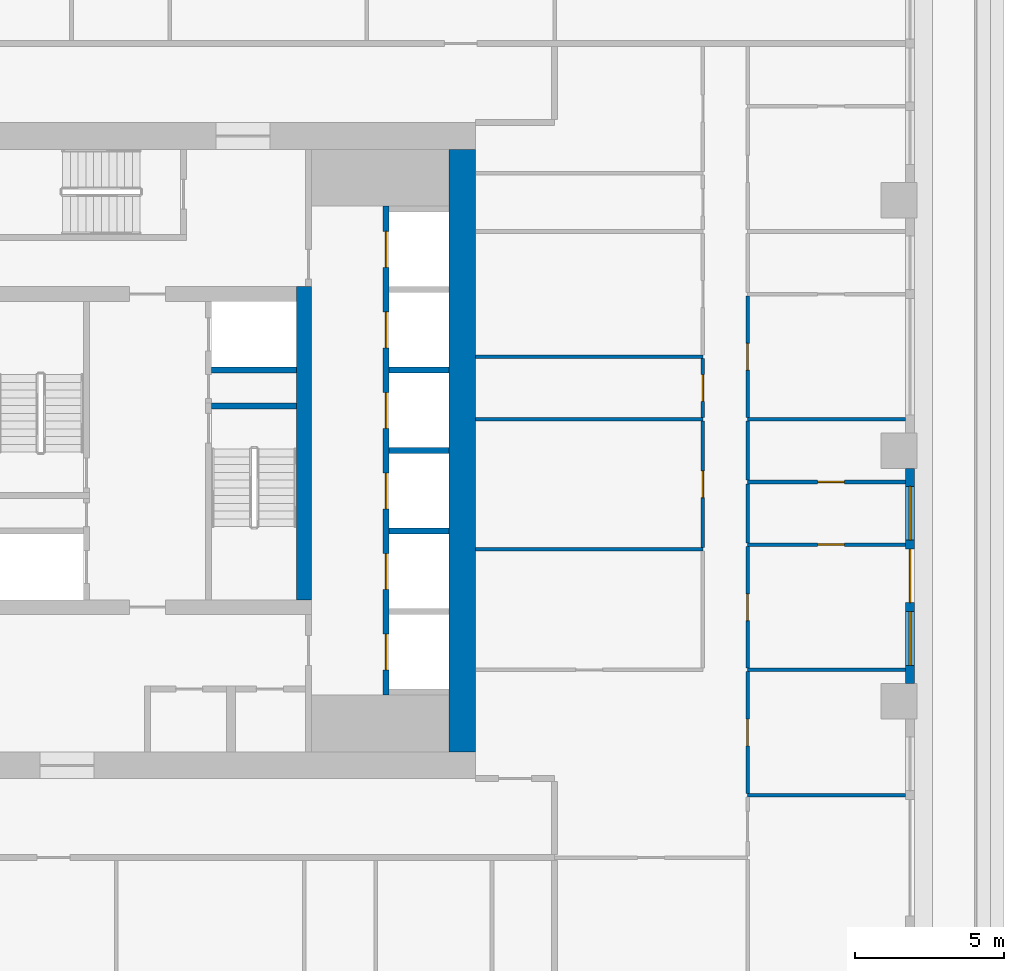
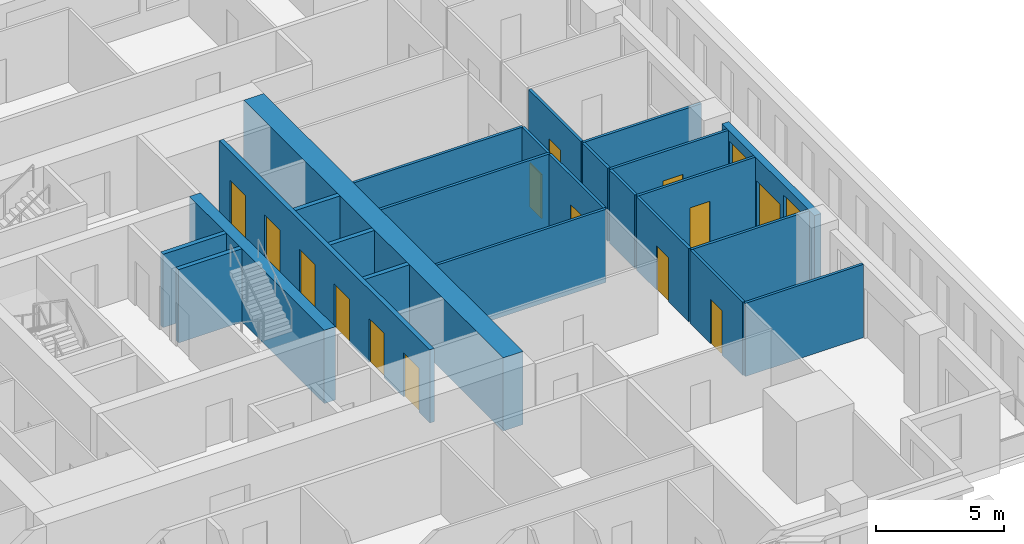
# One storey, part 6 of 16: 24 walls, 14 doors, 2 windows, 16 openings.
"""IFC4 building model written with IfcOpenShell, lengths in metres."""

from ifc_helpers import new_model, si_unit, direction, frame, frame_2d, origin, place, context, subcontext, project, spatial, rectangle, extrude, material, layer, layer_set, type_object, element, fill, save


model = new_model("IFC4")

# Units and contexts
model_context = context("Model", 3, precision=1e-05, world=origin(), true_north=direction((0.0, 1.0)))
body_context = subcontext(model_context, "Body", "Model", "MODEL_VIEW")
ifc_project = project(units=[si_unit("LENGTHUNIT", "METRE"), si_unit("AREAUNIT", "SQUARE_METRE"), si_unit("VOLUMEUNIT", "CUBIC_METRE"), si_unit("PLANEANGLEUNIT", "RADIAN"), si_unit("MASSUNIT", "GRAM", prefix="KILO")], contexts=[model_context])

# Site, building, storey
site_placement = place(None, origin())
site = spatial("IfcSite", under=ifc_project, at=site_placement, CompositionType="ELEMENT")
building_placement = place(site_placement, origin())
building = spatial("IfcBuilding", under=site, at=building_placement, Name="Khepri Terraces", CompositionType="ELEMENT")
storey_placement = place(building_placement, frame((0.0, 0.0, 172.800048828125)))
storey = spatial("IfcBuildingStorey", under=building, at=storey_placement, Name="L41", CompositionType="ELEMENT", Elevation=172.800048828125)

# Wall
ifc_material_1 = material(Name="Concrete C60/75", Category="concrete")
ifc_layer_1 = layer(ifc_material_1, 0.199951171875, Name="Concrete C60/75", Category="concrete")
ifc_layer_set_1 = layer_set([ifc_layer_1], Name="Concrete C60/75")
wall_type_1 = type_object("IfcWallType", Name="Core wall 200 C60/75", PredefinedType="SHEAR", material=ifc_layer_set_1)
wall_1_placement = place(storey_placement, frame((2.14990234375, 1.5, 0.0), z_axis=(0.0, 0.0, 1.0), x_axis=(1.0, 0.0, 0.0)))
element("IfcWall", 1, at=wall_1_placement, inside=storey, type_object=wall_type_1, Name="Core wall ST04 L41", PredefinedType="SHEAR", context=body_context, shape_type="SweptSolid", body=[
    extrude(rectangle(XDim=2.85009765625, YDim=0.199951171875, at=frame_2d((1.425048828125, 0.0))), origin(), (0.0, 0.0, 1.0), 3.47998046875),
])

# Wall, openings, doors
wall_2_placement = place(storey_placement, frame((8.0, -8.199951171875, 0.0), z_axis=(0.0, 0.0, 1.0), x_axis=(0.0, 1.0, 0.0)))
wall_2 = element("IfcWall", 2, at=wall_2_placement, inside=storey, type_object=wall_type_1, Name="Core wall SH02 L41", PredefinedType="SHEAR", context=body_context, shape_type="SweptSolid", body=[
    extrude(rectangle(XDim=16.39990234375, YDim=0.199951171875, at=frame_2d((8.199951171875, 0.0))), origin(), (0.0, 0.0, 1.0), 3.47998046875),
])
opening_1_placement = place(wall_2_placement, frame((0.85009765625, 0.0, 0.0)))
opening_1 = element("IfcOpeningElement", 3, at=opening_1_placement, cuts=wall_2, Name="Opening L41-C01", PredefinedType="OPENING", context=body_context, shape_type="SweptSolid", body=[
    extrude(rectangle(XDim=1.199951171875, YDim=2.10009765625, at=frame_2d((0.60009765625, 1.050048828125))), frame((0.0, 0.10986328125, 0.0), z_axis=(0.0, -1.0, 0.0), x_axis=(1.0, 0.0, 0.0)), (0.0, 0.0, 1.0), 0.219970703125),
])
opening_2_placement = place(wall_2_placement, frame((3.550048828125, 0.0, 0.0)))
opening_2 = element("IfcOpeningElement", 4, at=opening_2_placement, cuts=wall_2, Name="Opening L41-C02", PredefinedType="OPENING", context=body_context, shape_type="SweptSolid", body=[
    extrude(rectangle(XDim=1.199951171875, YDim=2.10009765625, at=frame_2d((0.60009765625, 1.050048828125))), frame((0.0, 0.10986328125, 0.0), z_axis=(0.0, -1.0, 0.0), x_axis=(1.0, 0.0, 0.0)), (0.0, 0.0, 1.0), 0.219970703125),
])
opening_3_placement = place(wall_2_placement, frame((6.25, 0.0, 0.0)))
opening_3 = element("IfcOpeningElement", 5, at=opening_3_placement, cuts=wall_2, Name="Opening L41-C03", PredefinedType="OPENING", context=body_context, shape_type="SweptSolid", body=[
    extrude(rectangle(XDim=1.199951171875, YDim=2.10009765625, at=frame_2d((0.60009765625, 1.050048828125))), frame((0.0, 0.10986328125, 0.0), z_axis=(0.0, -1.0, 0.0), x_axis=(1.0, 0.0, 0.0)), (0.0, 0.0, 1.0), 0.219970703125),
])
opening_4_placement = place(wall_2_placement, frame((8.949951171875, 0.0, 0.0)))
opening_4 = element("IfcOpeningElement", 6, at=opening_4_placement, cuts=wall_2, Name="Opening L41-C04", PredefinedType="OPENING", context=body_context, shape_type="SweptSolid", body=[
    extrude(rectangle(XDim=1.199951171875, YDim=2.10009765625, at=frame_2d((0.60009765625, 1.050048828125))), frame((0.0, 0.10986328125, 0.0), z_axis=(0.0, -1.0, 0.0), x_axis=(1.0, 0.0, 0.0)), (0.0, 0.0, 1.0), 0.219970703125),
])
opening_5_placement = place(wall_2_placement, frame((11.64990234375, 0.0, 0.0)))
opening_5 = element("IfcOpeningElement", 7, at=opening_5_placement, cuts=wall_2, Name="Opening L41-C05", PredefinedType="OPENING", context=body_context, shape_type="SweptSolid", body=[
    extrude(rectangle(XDim=1.199951171875, YDim=2.10009765625, at=frame_2d((0.60009765625, 1.050048828125))), frame((0.0, 0.10986328125, 0.0), z_axis=(0.0, -1.0, 0.0), x_axis=(1.0, 0.0, 0.0)), (0.0, 0.0, 1.0), 0.219970703125),
])
opening_6_placement = place(wall_2_placement, frame((14.35009765625, 0.0, 0.0)))
opening_6 = element("IfcOpeningElement", 8, at=opening_6_placement, cuts=wall_2, Name="Opening L41-C06", PredefinedType="OPENING", context=body_context, shape_type="SweptSolid", body=[
    extrude(rectangle(XDim=1.199951171875, YDim=2.10009765625, at=frame_2d((0.60009765625, 1.050048828125))), frame((0.0, 0.10986328125, 0.0), z_axis=(0.0, -1.0, 0.0), x_axis=(1.0, 0.0, 0.0)), (0.0, 0.0, 1.0), 0.219970703125),
])
ifc_material_2 = material(Name="Stainless steel 304", Category="steel")
door_type_1 = type_object("IfcDoorType", Name="DR-CORE-LANDING-1200", OperationType="NOTDEFINED", PredefinedType="DOOR", material=ifc_material_2)
door_1_placement = place(opening_1_placement, origin())
door_1 = element("IfcDoor", 9, at=door_1_placement, inside=storey, type_object=door_type_1, Name="Lift landing door L41-C01", OperationType="SLIDING_TO_LEFT", OverallHeight=2.10009765625, OverallWidth=1.199951171875, PredefinedType="DOOR", context=body_context, shape_type="SweptSolid", body=[
    extrude(rectangle(XDim=1.199951171875, YDim=2.10009765625, at=frame_2d((0.60009765625, 1.050048828125))), frame((0.0, 0.02490234375, 0.0), z_axis=(0.0, -1.0, 0.0), x_axis=(1.0, 0.0, 0.0)), (0.0, 0.0, 1.0), 0.050048828125),
])
fill(opening_1, door_1)
door_2_placement = place(opening_2_placement, origin())
door_2 = element("IfcDoor", 10, at=door_2_placement, inside=storey, type_object=door_type_1, Name="Lift landing door L41-C02", OperationType="SLIDING_TO_LEFT", OverallHeight=2.10009765625, OverallWidth=1.199951171875, PredefinedType="DOOR", context=body_context, shape_type="SweptSolid", body=[
    extrude(rectangle(XDim=1.199951171875, YDim=2.10009765625, at=frame_2d((0.60009765625, 1.050048828125))), frame((0.0, 0.02490234375, 0.0), z_axis=(0.0, -1.0, 0.0), x_axis=(1.0, 0.0, 0.0)), (0.0, 0.0, 1.0), 0.050048828125),
])
fill(opening_2, door_2)
door_3_placement = place(opening_3_placement, origin())
door_3 = element("IfcDoor", 11, at=door_3_placement, inside=storey, type_object=door_type_1, Name="Lift landing door L41-C03", OperationType="SLIDING_TO_LEFT", OverallHeight=2.10009765625, OverallWidth=1.199951171875, PredefinedType="DOOR", context=body_context, shape_type="SweptSolid", body=[
    extrude(rectangle(XDim=1.199951171875, YDim=2.10009765625, at=frame_2d((0.60009765625, 1.050048828125))), frame((0.0, 0.02490234375, 0.0), z_axis=(0.0, -1.0, 0.0), x_axis=(1.0, 0.0, 0.0)), (0.0, 0.0, 1.0), 0.050048828125),
])
fill(opening_3, door_3)
door_4_placement = place(opening_4_placement, origin())
door_4 = element("IfcDoor", 12, at=door_4_placement, inside=storey, type_object=door_type_1, Name="Lift landing door L41-C04", OperationType="SLIDING_TO_LEFT", OverallHeight=2.10009765625, OverallWidth=1.199951171875, PredefinedType="DOOR", context=body_context, shape_type="SweptSolid", body=[
    extrude(rectangle(XDim=1.199951171875, YDim=2.10009765625, at=frame_2d((0.60009765625, 1.050048828125))), frame((0.0, 0.02490234375, 0.0), z_axis=(0.0, -1.0, 0.0), x_axis=(1.0, 0.0, 0.0)), (0.0, 0.0, 1.0), 0.050048828125),
])
fill(opening_4, door_4)
door_5_placement = place(opening_5_placement, origin())
door_5 = element("IfcDoor", 13, at=door_5_placement, inside=storey, type_object=door_type_1, Name="Lift landing door L41-C05", OperationType="SLIDING_TO_LEFT", OverallHeight=2.10009765625, OverallWidth=1.199951171875, PredefinedType="DOOR", context=body_context, shape_type="SweptSolid", body=[
    extrude(rectangle(XDim=1.199951171875, YDim=2.10009765625, at=frame_2d((0.60009765625, 1.050048828125))), frame((0.0, 0.02490234375, 0.0), z_axis=(0.0, -1.0, 0.0), x_axis=(1.0, 0.0, 0.0)), (0.0, 0.0, 1.0), 0.050048828125),
])
fill(opening_5, door_5)
door_6_placement = place(opening_6_placement, origin())
door_6 = element("IfcDoor", 14, at=door_6_placement, inside=storey, type_object=door_type_1, Name="Lift landing door L41-C06", OperationType="SLIDING_TO_LEFT", OverallHeight=2.10009765625, OverallWidth=1.199951171875, PredefinedType="DOOR", context=body_context, shape_type="SweptSolid", body=[
    extrude(rectangle(XDim=1.199951171875, YDim=2.10009765625, at=frame_2d((0.60009765625, 1.050048828125))), frame((0.0, 0.02490234375, 0.0), z_axis=(0.0, -1.0, 0.0), x_axis=(1.0, 0.0, 0.0)), (0.0, 0.0, 1.0), 0.050048828125),
])
fill(opening_6, door_6)

# Walls
for number, where, z_axis, x_axis, name in (
    (15, (8.10009765625, -2.699951171875, 0.0), (0.0, 0.0, 1.0), (1.0, 0.0, 0.0), "Core wall SH08 L41"),
    (16, (8.10009765625, 0.0, 0.0), (0.0, 0.0, 1.0), (1.0, 0.0, 0.0), "Core wall SH09 L41"),
):
    element("IfcWall", number, at=place(storey_placement, frame(where, z_axis=z_axis, x_axis=x_axis)), inside=storey, type_object=wall_type_1, Name=name, PredefinedType="SHEAR", context=body_context, shape_type="SweptSolid", body=[
        extrude(rectangle(XDim=2.0, YDim=0.199951171875, at=frame_2d((1.0, 0.0))), origin(), (0.0, 0.0, 1.0), 3.47998046875),
    ])
wall_3_placement = place(storey_placement, frame((2.14990234375, 2.699951171875, 0.0), z_axis=(0.0, 0.0, 1.0), x_axis=(1.0, 0.0, 0.0)))
element("IfcWall", 17, at=wall_3_placement, inside=storey, type_object=wall_type_1, Name="Core wall SH12 L41", PredefinedType="SHEAR", context=body_context, shape_type="SweptSolid", body=[
    extrude(rectangle(XDim=2.85009765625, YDim=0.199951171875, at=frame_2d((1.425048828125, 0.0))), origin(), (0.0, 0.0, 1.0), 3.47998046875),
])
wall_4_placement = place(storey_placement, frame((8.10009765625, 2.699951171875, 0.0), z_axis=(0.0, 0.0, 1.0), x_axis=(1.0, 0.0, 0.0)))
element("IfcWall", 18, at=wall_4_placement, inside=storey, type_object=wall_type_1, Name="Core wall SH13 L41", PredefinedType="SHEAR", context=body_context, shape_type="SweptSolid", body=[
    extrude(rectangle(XDim=2.0, YDim=0.199951171875, at=frame_2d((1.0, 0.0))), origin(), (0.0, 0.0, 1.0), 3.47998046875),
])
ifc_layer_2 = layer(ifc_material_1, 0.5, Name="Concrete C60/75", Category="concrete")
ifc_layer_set_2 = layer_set([ifc_layer_2], Name="Concrete C60/75")
wall_type_2 = type_object("IfcWallType", Name="Core wall 500 C60/75", PredefinedType="SHEAR", material=ifc_layer_set_2)
wall_5_placement = place(storey_placement, frame((5.25, -5.0, 0.0), z_axis=(0.0, 0.0, 1.0), x_axis=(0.0, 1.0, 0.0)))
element("IfcWall", 19, at=wall_5_placement, inside=storey, type_object=wall_type_2, Name="Core wall BX03 L41", PredefinedType="SHEAR", context=body_context, shape_type="SweptSolid", body=[
    extrude(rectangle(XDim=10.5, YDim=0.5, at=frame_2d((5.25, 0.0))), origin(), (0.0, 0.0, 1.0), 3.47998046875),
])
ifc_layer_3 = layer(ifc_material_1, 0.89990234375, Name="Concrete C60/75", Category="concrete")
ifc_layer_set_3 = layer_set([ifc_layer_3], Name="Concrete C60/75")
wall_type_3 = type_object("IfcWallType", Name="Core wall 900 C60/75", PredefinedType="SHEAR", material=ifc_layer_set_3)
wall_6_placement = place(storey_placement, frame((10.550048828125, -10.10009765625, 0.0), z_axis=(0.0, 0.0, 1.0), x_axis=(0.0, 1.0, 0.0)))
element("IfcWall", 20, at=wall_6_placement, inside=storey, type_object=wall_type_3, Name="Core wall OW-E L41", PredefinedType="SHEAR", context=body_context, shape_type="SweptSolid", body=[
    extrude(rectangle(XDim=20.2001953125, YDim=0.89990234375, at=frame_2d((10.10009765625, 0.0))), origin(), (0.0, 0.0, 1.0), 3.47998046875),
])

# Wall, openings, door, windows
ifc_material_3 = material(Name="Precast concrete C50/60 warm stone", Category="masonry")
ifc_layer_4 = layer(ifc_material_3, 0.300048828125, Name="Precast concrete C50/60 warm stone", Category="masonry")
ifc_layer_set_4 = layer_set([ifc_layer_4], Name="Precast concrete C50/60 warm stone")
wall_type_4 = type_object("IfcWallType", Name="WL-EXT-PRECAST-300", PredefinedType="STANDARD", material=ifc_layer_set_4)
wall_7_placement = place(storey_placement, frame((25.570068359375, -7.800048828125, 0.0), z_axis=(0.0, 0.0, 1.0), x_axis=(0.0, 1.0, 0.0)))
wall_7 = element("IfcWall", 21, at=wall_7_placement, inside=storey, type_object=wall_type_4, Name="External wall L41 E", PredefinedType="STANDARD", context=body_context, shape_type="SweptSolid", body=[
    extrude(rectangle(XDim=7.199951171875, YDim=0.300048828125, at=frame_2d((3.60009765625, 0.0))), origin(), (0.0, 0.0, 1.0), 3.47998046875),
])
opening_7_placement = place(wall_7_placement, frame((0.60009765625, 0.0, 0.89990234375)))
opening_7 = element("IfcOpeningElement", 22, at=opening_7_placement, cuts=wall_7, Name="Opening W1", PredefinedType="OPENING", context=body_context, shape_type="SweptSolid", body=[
    extrude(rectangle(XDim=1.800048828125, YDim=2.10009765625, at=frame_2d((0.89990234375, 1.050048828125))), frame((0.0, 0.16015625, 0.0), z_axis=(0.0, -1.0, 0.0), x_axis=(1.0, 0.0, 0.0)), (0.0, 0.0, 1.0), 0.320068359375),
])
opening_8_placement = place(wall_7_placement, frame((2.699951171875, 0.0, 0.0)))
opening_8 = element("IfcOpeningElement", 23, at=opening_8_placement, cuts=wall_7, Name="Opening ED-L41-03", PredefinedType="OPENING", context=body_context, shape_type="SweptSolid", body=[
    extrude(rectangle(XDim=1.800048828125, YDim=2.39990234375, at=frame_2d((0.89990234375, 1.199951171875))), frame((0.0, 0.16015625, 0.0), z_axis=(0.0, -1.0, 0.0), x_axis=(1.0, 0.0, 0.0)), (0.0, 0.0, 1.0), 0.320068359375),
])
opening_9_placement = place(wall_7_placement, frame((4.800048828125, 0.0, 0.89990234375)))
opening_9 = element("IfcOpeningElement", 24, at=opening_9_placement, cuts=wall_7, Name="Opening W1", PredefinedType="OPENING", context=body_context, shape_type="SweptSolid", body=[
    extrude(rectangle(XDim=1.800048828125, YDim=2.10009765625, at=frame_2d((0.89990234375, 1.050048828125))), frame((0.0, 0.16015625, 0.0), z_axis=(0.0, -1.0, 0.0), x_axis=(1.0, 0.0, 0.0)), (0.0, 0.0, 1.0), 0.320068359375),
])
ifc_material_4 = material(Name="Anodised aluminium bronze glazed door", Category="aluminium")
door_type_2 = type_object("IfcDoorType", Name="DR-BAL-SLIDE-1800x2400", OperationType="NOTDEFINED", PredefinedType="DOOR", material=ifc_material_4)
door_7_placement = place(opening_8_placement, origin())
door_7 = element("IfcDoor", 25, at=door_7_placement, inside=storey, type_object=door_type_2, Name="Balcony door L41 E", OperationType="SLIDING_TO_LEFT", OverallHeight=2.39990234375, OverallWidth=1.800048828125, PredefinedType="DOOR", context=body_context, shape_type="SweptSolid", body=[
    extrude(rectangle(XDim=1.800048828125, YDim=2.39990234375, at=frame_2d((0.89990234375, 1.199951171875))), frame((0.0, 0.02490234375, 0.0), z_axis=(0.0, -1.0, 0.0), x_axis=(1.0, 0.0, 0.0)), (0.0, 0.0, 1.0), 0.050048828125),
])
fill(opening_8, door_7)
ifc_material_5 = material(Name="Clear glass", Category="glass")
window_type = type_object("IfcWindowType", Name="WIN-RES-1800x2100", PartitioningType="SINGLE_PANEL", PredefinedType="WINDOW", material=ifc_material_5)
window_1_placement = place(opening_7_placement, origin())
window_1 = element("IfcWindow", 26, at=window_1_placement, inside=storey, type_object=window_type, Name="Window L41 E", OverallHeight=2.10009765625, OverallWidth=1.800048828125, PartitioningType="SINGLE_PANEL", PredefinedType="WINDOW", context=body_context, shape_type="SweptSolid", body=[
    extrude(rectangle(XDim=1.800048828125, YDim=2.10009765625, at=frame_2d((0.89990234375, 1.050048828125))), frame((0.0, 0.030029296875, 0.0), z_axis=(0.0, -1.0, 0.0), x_axis=(1.0, 0.0, 0.0)), (0.0, 0.0, 1.0), 0.06005859375),
])
fill(opening_7, window_1)
window_2_placement = place(opening_9_placement, origin())
window_2 = element("IfcWindow", 27, at=window_2_placement, inside=storey, type_object=window_type, Name="Window L41 E", OverallHeight=2.10009765625, OverallWidth=1.800048828125, PartitioningType="SINGLE_PANEL", PredefinedType="WINDOW", context=body_context, shape_type="SweptSolid", body=[
    extrude(rectangle(XDim=1.800048828125, YDim=2.10009765625, at=frame_2d((0.89990234375, 1.050048828125))), frame((0.0, 0.030029296875, 0.0), z_axis=(0.0, -1.0, 0.0), x_axis=(1.0, 0.0, 0.0)), (0.0, 0.0, 1.0), 0.06005859375),
])
fill(opening_9, window_2)

# Wall
ifc_material_6 = material(Name="Gypsum plasterboard partition")
ifc_layer_5 = layer(ifc_material_6, 0.1201171875, Name="Gypsum plasterboard partition")
ifc_layer_set_5 = layer_set([ifc_layer_5], Name="Gypsum plasterboard partition")
wall_type_5 = type_object("IfcWallType", Name="WL-PART-120", PredefinedType="PARTITIONING", material=ifc_layer_set_5)
wall_8_placement = place(storey_placement, frame((20.1201171875, -11.550048828125, 0.0), z_axis=(0.0, 0.0, 1.0), x_axis=(1.0, 0.0, 0.0)))
element("IfcWall", 28, at=wall_8_placement, inside=storey, type_object=wall_type_5, Name="Partition P-031 L41", PredefinedType="PARTITIONING", context=body_context, shape_type="SweptSolid", body=[
    extrude(rectangle(XDim=5.2998046875, YDim=0.1201171875, at=frame_2d((2.64990234375, 0.0))), origin(), (0.0, 0.0, 1.0), 3.47998046875),
])

# Wall, opening, door
wall_9_placement = place(storey_placement, frame((20.1201171875, -11.489990234375, 0.0), z_axis=(0.0, 0.0, 1.0), x_axis=(0.0, 1.0, 0.0)))
wall_9 = element("IfcWall", 29, at=wall_9_placement, inside=storey, type_object=wall_type_5, Name="Partition P-033 L41", PredefinedType="PARTITIONING", context=body_context, shape_type="SweptSolid", body=[
    extrude(rectangle(XDim=4.080078125, YDim=0.1201171875, at=frame_2d((2.0400390625, 0.0))), origin(), (0.0, 0.0, 1.0), 3.47998046875),
])
opening_10_placement = place(wall_9_placement, frame((1.590087890625, 0.0, 0.0)))
opening_10 = element("IfcOpeningElement", 30, at=opening_10_placement, cuts=wall_9, Name="Opening D3", PredefinedType="OPENING", context=body_context, shape_type="SweptSolid", body=[
    extrude(rectangle(XDim=0.89990234375, YDim=2.10009765625, at=frame_2d((0.449951171875, 1.050048828125))), frame((0.0, 0.070068359375, 0.0), z_axis=(0.0, -1.0, 0.0), x_axis=(1.0, 0.0, 0.0)), (0.0, 0.0, 1.0), 0.14013671875),
])
ifc_material_7 = material(Name="Timber door leaf", Category="wood")
door_type_3 = type_object("IfcDoorType", Name="DR-INT-900", OperationType="NOTDEFINED", PredefinedType="DOOR", material=ifc_material_7)
door_8_placement = place(opening_10_placement, frame((0.89990234375, 0.0, 0.0), z_axis=(0.0, 0.0, 1.0), x_axis=(-1.0, 0.0, 0.0)))
door_8 = element("IfcDoor", 31, at=door_8_placement, inside=storey, type_object=door_type_3, Name="Door Study", OperationType="SINGLE_SWING_LEFT", OverallHeight=2.10009765625, OverallWidth=0.89990234375, PredefinedType="DOOR", context=body_context, shape_type="SweptSolid", body=[
    extrude(rectangle(XDim=0.89990234375, YDim=2.10009765625, at=frame_2d((0.449951171875, 1.050048828125))), frame((0.0, 0.02490234375, 0.0), z_axis=(0.0, -1.0, 0.0), x_axis=(1.0, 0.0, 0.0)), (0.0, 0.0, 1.0), 0.050048828125),
])
fill(opening_10, door_8)

# Wall
wall_10_placement = place(storey_placement, frame((20.1201171875, -7.35009765625, 0.0), z_axis=(0.0, 0.0, 1.0), x_axis=(1.0, 0.0, 0.0)))
element("IfcWall", 32, at=wall_10_placement, inside=storey, type_object=wall_type_5, Name="Partition P-041 L41", PredefinedType="PARTITIONING", context=body_context, shape_type="SweptSolid", body=[
    extrude(rectangle(XDim=5.2998046875, YDim=0.1201171875, at=frame_2d((2.64990234375, 0.0))), origin(), (0.0, 0.0, 1.0), 3.47998046875),
])

# Wall, opening, door
wall_11_placement = place(storey_placement, frame((20.1201171875, -7.2900390625, 0.0), z_axis=(0.0, 0.0, 1.0), x_axis=(0.0, 1.0, 0.0)))
wall_11 = element("IfcWall", 33, at=wall_11_placement, inside=storey, type_object=wall_type_5, Name="Partition P-045 L41", PredefinedType="PARTITIONING", context=body_context, shape_type="SweptSolid", body=[
    extrude(rectangle(XDim=4.080078125, YDim=0.1201171875, at=frame_2d((2.0400390625, 0.0))), origin(), (0.0, 0.0, 1.0), 3.47998046875),
])
opening_11_placement = place(wall_11_placement, frame((1.590087890625, 0.0, 0.0)))
opening_11 = element("IfcOpeningElement", 34, at=opening_11_placement, cuts=wall_11, Name="Opening D3", PredefinedType="OPENING", context=body_context, shape_type="SweptSolid", body=[
    extrude(rectangle(XDim=0.89990234375, YDim=2.10009765625, at=frame_2d((0.449951171875, 1.050048828125))), frame((0.0, 0.070068359375, 0.0), z_axis=(0.0, -1.0, 0.0), x_axis=(1.0, 0.0, 0.0)), (0.0, 0.0, 1.0), 0.14013671875),
])
door_9_placement = place(opening_11_placement, frame((0.89990234375, 0.0, 0.0), z_axis=(0.0, 0.0, 1.0), x_axis=(-1.0, 0.0, 0.0)))
door_9 = element("IfcDoor", 35, at=door_9_placement, inside=storey, type_object=door_type_3, Name="Door Master Bedroom", OperationType="SINGLE_SWING_LEFT", OverallHeight=2.10009765625, OverallWidth=0.89990234375, PredefinedType="DOOR", context=body_context, shape_type="SweptSolid", body=[
    extrude(rectangle(XDim=0.89990234375, YDim=2.10009765625, at=frame_2d((0.449951171875, 1.050048828125))), frame((0.0, 0.02490234375, 0.0), z_axis=(0.0, -1.0, 0.0), x_axis=(1.0, 0.0, 0.0)), (0.0, 0.0, 1.0), 0.050048828125),
])
fill(opening_11, door_9)

# Wall
wall_12_placement = place(storey_placement, frame((11.0, -3.300048828125, 0.0), z_axis=(0.0, 0.0, 1.0), x_axis=(1.0, 0.0, 0.0)))
element("IfcWall", 36, at=wall_12_placement, inside=storey, type_object=wall_type_5, Name="Partition P-048 L41", PredefinedType="PARTITIONING", context=body_context, shape_type="SweptSolid", body=[
    extrude(rectangle(XDim=7.6201171875, YDim=0.1201171875, at=frame_2d((3.81005859375, 0.0))), origin(), (0.0, 0.0, 1.0), 3.47998046875),
])

# Wall, opening, door
wall_13_placement = place(storey_placement, frame((18.6201171875, -3.239990234375, 0.0), z_axis=(0.0, 0.0, 1.0), x_axis=(0.0, 1.0, 0.0)))
wall_13 = element("IfcWall", 37, at=wall_13_placement, inside=storey, type_object=wall_type_5, Name="Partition P-049 L41", PredefinedType="PARTITIONING", context=body_context, shape_type="SweptSolid", body=[
    extrude(rectangle(XDim=4.22998046875, YDim=0.1201171875, at=frame_2d((2.114990234375, 0.0))), origin(), (0.0, 0.0, 1.0), 3.47998046875),
])
opening_12_placement = place(wall_13_placement, frame((1.6650390625, 0.0, 0.0)))
opening_12 = element("IfcOpeningElement", 38, at=opening_12_placement, cuts=wall_13, Name="Opening D3", PredefinedType="OPENING", context=body_context, shape_type="SweptSolid", body=[
    extrude(rectangle(XDim=0.89990234375, YDim=2.10009765625, at=frame_2d((0.449951171875, 1.050048828125))), frame((0.0, 0.070068359375, 0.0), z_axis=(0.0, -1.0, 0.0), x_axis=(1.0, 0.0, 0.0)), (0.0, 0.0, 1.0), 0.14013671875),
])
door_10_placement = place(opening_12_placement, origin())
door_10 = element("IfcDoor", 39, at=door_10_placement, inside=storey, type_object=door_type_3, Name="Door Service Store", OperationType="SINGLE_SWING_RIGHT", OverallHeight=2.10009765625, OverallWidth=0.89990234375, PredefinedType="DOOR", context=body_context, shape_type="SweptSolid", body=[
    extrude(rectangle(XDim=0.89990234375, YDim=2.10009765625, at=frame_2d((0.449951171875, 1.050048828125))), frame((0.0, 0.02490234375, 0.0), z_axis=(0.0, -1.0, 0.0), x_axis=(1.0, 0.0, 0.0)), (0.0, 0.0, 1.0), 0.050048828125),
])
fill(opening_12, door_10)

wall_14_placement = place(storey_placement, frame((20.1201171875, -3.14990234375, 0.0), z_axis=(0.0, 0.0, 1.0), x_axis=(1.0, 0.0, 0.0)))
wall_14 = element("IfcWall", 40, at=wall_14_placement, inside=storey, type_object=wall_type_5, Name="Partition P-051 L41", PredefinedType="PARTITIONING", context=body_context, shape_type="SweptSolid", body=[
    extrude(rectangle(XDim=5.2998046875, YDim=0.1201171875, at=frame_2d((2.64990234375, 0.0))), origin(), (0.0, 0.0, 1.0), 3.47998046875),
])
opening_13_placement = place(wall_14_placement, frame((2.35009765625, 0.0, 0.0)))
opening_13 = element("IfcOpeningElement", 41, at=opening_13_placement, cuts=wall_14, Name="Opening D3", PredefinedType="OPENING", context=body_context, shape_type="SweptSolid", body=[
    extrude(rectangle(XDim=0.89990234375, YDim=2.10009765625, at=frame_2d((0.449951171875, 1.050048828125))), frame((0.0, 0.070068359375, 0.0), z_axis=(0.0, -1.0, 0.0), x_axis=(1.0, 0.0, 0.0)), (0.0, 0.0, 1.0), 0.14013671875),
])
door_11_placement = place(opening_13_placement, origin())
door_11 = element("IfcDoor", 42, at=door_11_placement, inside=storey, type_object=door_type_3, Name="Door Dressing Room", OperationType="SINGLE_SWING_RIGHT", OverallHeight=2.10009765625, OverallWidth=0.89990234375, PredefinedType="DOOR", context=body_context, shape_type="SweptSolid", body=[
    extrude(rectangle(XDim=0.89990234375, YDim=2.10009765625, at=frame_2d((0.449951171875, 1.050048828125))), frame((0.0, 0.02490234375, 0.0), z_axis=(0.0, -1.0, 0.0), x_axis=(1.0, 0.0, 0.0)), (0.0, 0.0, 1.0), 0.050048828125),
])
fill(opening_13, door_11)

# Wall
wall_15_placement = place(storey_placement, frame((20.1201171875, -3.090087890625, 0.0), z_axis=(0.0, 0.0, 1.0), x_axis=(0.0, 1.0, 0.0)))
element("IfcWall", 43, at=wall_15_placement, inside=storey, type_object=wall_type_5, Name="Partition P-053 L41", PredefinedType="PARTITIONING", context=body_context, shape_type="SweptSolid", body=[
    extrude(rectangle(XDim=1.97998046875, YDim=0.1201171875, at=frame_2d((0.989990234375, 0.0))), origin(), (0.0, 0.0, 1.0), 3.47998046875),
])

# Wall, opening, door
wall_16_placement = place(storey_placement, frame((20.1201171875, -1.050048828125, 0.0), z_axis=(0.0, 0.0, 1.0), x_axis=(1.0, 0.0, 0.0)))
wall_16 = element("IfcWall", 44, at=wall_16_placement, inside=storey, type_object=wall_type_5, Name="Partition P-056 L41", PredefinedType="PARTITIONING", context=body_context, shape_type="SweptSolid", body=[
    extrude(rectangle(XDim=5.2998046875, YDim=0.1201171875, at=frame_2d((2.64990234375, 0.0))), origin(), (0.0, 0.0, 1.0), 3.47998046875),
])
opening_14_placement = place(wall_16_placement, frame((2.35009765625, 0.0, 0.0)))
opening_14 = element("IfcOpeningElement", 45, at=opening_14_placement, cuts=wall_16, Name="Opening D4", PredefinedType="OPENING", context=body_context, shape_type="SweptSolid", body=[
    extrude(rectangle(XDim=0.89990234375, YDim=2.10009765625, at=frame_2d((0.449951171875, 1.050048828125))), frame((0.0, 0.070068359375, 0.0), z_axis=(0.0, -1.0, 0.0), x_axis=(1.0, 0.0, 0.0)), (0.0, 0.0, 1.0), 0.14013671875),
])
ifc_material_8 = material(Name="Timber door leaf, moisture resistant", Category="wood")
door_type_4 = type_object("IfcDoorType", Name="DR-WET-900", OperationType="NOTDEFINED", PredefinedType="DOOR", material=ifc_material_8)
door_12_placement = place(opening_14_placement, origin())
door_12 = element("IfcDoor", 46, at=door_12_placement, inside=storey, type_object=door_type_4, Name="Door Bathroom", OperationType="SINGLE_SWING_RIGHT", OverallHeight=2.10009765625, OverallWidth=0.89990234375, PredefinedType="DOOR", context=body_context, shape_type="SweptSolid", body=[
    extrude(rectangle(XDim=0.89990234375, YDim=2.10009765625, at=frame_2d((0.449951171875, 1.050048828125))), frame((0.0, 0.02490234375, 0.0), z_axis=(0.0, -1.0, 0.0), x_axis=(1.0, 0.0, 0.0)), (0.0, 0.0, 1.0), 0.050048828125),
])
fill(opening_14, door_12)

# Walls
wall_17_placement = place(storey_placement, frame((20.1201171875, -0.989990234375, 0.0), z_axis=(0.0, 0.0, 1.0), x_axis=(0.0, 1.0, 0.0)))
element("IfcWall", 47, at=wall_17_placement, inside=storey, type_object=wall_type_5, Name="Partition P-059 L41", PredefinedType="PARTITIONING", context=body_context, shape_type="SweptSolid", body=[
    extrude(rectangle(XDim=1.97998046875, YDim=0.1201171875, at=frame_2d((0.989990234375, 0.0))), origin(), (0.0, 0.0, 1.0), 3.47998046875),
])
wall_18_placement = place(storey_placement, frame((11.0, 1.050048828125, 0.0), z_axis=(0.0, 0.0, 1.0), x_axis=(1.0, 0.0, 0.0)))
element("IfcWall", 48, at=wall_18_placement, inside=storey, type_object=wall_type_5, Name="Partition P-061 L41", PredefinedType="PARTITIONING", context=body_context, shape_type="SweptSolid", body=[
    extrude(rectangle(XDim=7.6201171875, YDim=0.1201171875, at=frame_2d((3.81005859375, 0.0))), origin(), (0.0, 0.0, 1.0), 3.47998046875),
])
wall_19_placement = place(storey_placement, frame((20.1201171875, 1.050048828125, 0.0), z_axis=(0.0, 0.0, 1.0), x_axis=(1.0, 0.0, 0.0)))
element("IfcWall", 49, at=wall_19_placement, inside=storey, type_object=wall_type_5, Name="Partition P-062 L41", PredefinedType="PARTITIONING", context=body_context, shape_type="SweptSolid", body=[
    extrude(rectangle(XDim=5.2998046875, YDim=0.1201171875, at=frame_2d((2.64990234375, 0.0))), origin(), (0.0, 0.0, 1.0), 3.47998046875),
])

# Wall, opening, door
wall_20_placement = place(storey_placement, frame((18.6201171875, 1.110107421875, 0.0), z_axis=(0.0, 0.0, 1.0), x_axis=(0.0, 1.0, 0.0)))
wall_20 = element("IfcWall", 50, at=wall_20_placement, inside=storey, type_object=wall_type_5, Name="Partition P-064 L41", PredefinedType="PARTITIONING", context=body_context, shape_type="SweptSolid", body=[
    extrude(rectangle(XDim=1.97998046875, YDim=0.1201171875, at=frame_2d((0.989990234375, 0.0))), origin(), (0.0, 0.0, 1.0), 3.47998046875),
])
opening_15_placement = place(wall_20_placement, frame((0.5400390625, 0.0, 0.0)))
opening_15 = element("IfcOpeningElement", 51, at=opening_15_placement, cuts=wall_20, Name="Opening D4", PredefinedType="OPENING", context=body_context, shape_type="SweptSolid", body=[
    extrude(rectangle(XDim=0.89990234375, YDim=2.10009765625, at=frame_2d((0.449951171875, 1.050048828125))), frame((0.0, 0.070068359375, 0.0), z_axis=(0.0, -1.0, 0.0), x_axis=(1.0, 0.0, 0.0)), (0.0, 0.0, 1.0), 0.14013671875),
])
door_13_placement = place(opening_15_placement, origin())
door_13 = element("IfcDoor", 52, at=door_13_placement, inside=storey, type_object=door_type_4, Name="Door Powder Room", OperationType="SINGLE_SWING_RIGHT", OverallHeight=2.10009765625, OverallWidth=0.89990234375, PredefinedType="DOOR", context=body_context, shape_type="SweptSolid", body=[
    extrude(rectangle(XDim=0.89990234375, YDim=2.10009765625, at=frame_2d((0.449951171875, 1.050048828125))), frame((0.0, 0.02490234375, 0.0), z_axis=(0.0, -1.0, 0.0), x_axis=(1.0, 0.0, 0.0)), (0.0, 0.0, 1.0), 0.050048828125),
])
fill(opening_15, door_13)

wall_21_placement = place(storey_placement, frame((20.1201171875, 1.110107421875, 0.0), z_axis=(0.0, 0.0, 1.0), x_axis=(0.0, 1.0, 0.0)))
wall_21 = element("IfcWall", 53, at=wall_21_placement, inside=storey, type_object=wall_type_5, Name="Partition P-065 L41", PredefinedType="PARTITIONING", context=body_context, shape_type="SweptSolid", body=[
    extrude(rectangle(XDim=4.079833984375, YDim=0.1201171875, at=frame_2d((2.0400390625, 0.0))), origin(), (0.0, 0.0, 1.0), 3.47998046875),
])
opening_16_placement = place(wall_21_placement, frame((1.590087890625, 0.0, 0.0)))
opening_16 = element("IfcOpeningElement", 54, at=opening_16_placement, cuts=wall_21, Name="Opening D3", PredefinedType="OPENING", context=body_context, shape_type="SweptSolid", body=[
    extrude(rectangle(XDim=0.89990234375, YDim=2.10009765625, at=frame_2d((0.449951171875, 1.050048828125))), frame((0.0, 0.070068359375, 0.0), z_axis=(0.0, -1.0, 0.0), x_axis=(1.0, 0.0, 0.0)), (0.0, 0.0, 1.0), 0.14013671875),
])
door_14_placement = place(opening_16_placement, frame((0.89990234375, 0.0, 0.0), z_axis=(0.0, 0.0, 1.0), x_axis=(-1.0, 0.0, 0.0)))
door_14 = element("IfcDoor", 55, at=door_14_placement, inside=storey, type_object=door_type_3, Name="Door Bedroom", OperationType="SINGLE_SWING_LEFT", OverallHeight=2.10009765625, OverallWidth=0.89990234375, PredefinedType="DOOR", context=body_context, shape_type="SweptSolid", body=[
    extrude(rectangle(XDim=0.89990234375, YDim=2.10009765625, at=frame_2d((0.449951171875, 1.050048828125))), frame((0.0, 0.02490234375, 0.0), z_axis=(0.0, -1.0, 0.0), x_axis=(1.0, 0.0, 0.0)), (0.0, 0.0, 1.0), 0.050048828125),
])
fill(opening_16, door_14)

# Wall
wall_22_placement = place(storey_placement, frame((11.0, 3.14990234375, 0.0), z_axis=(0.0, 0.0, 1.0), x_axis=(1.0, 0.0, 0.0)))
element("IfcWall", 56, at=wall_22_placement, inside=storey, type_object=wall_type_5, Name="Partition P-068 L41", PredefinedType="PARTITIONING", context=body_context, shape_type="SweptSolid", body=[
    extrude(rectangle(XDim=7.6201171875, YDim=0.1201171875, at=frame_2d((3.81005859375, 0.0))), origin(), (0.0, 0.0, 1.0), 3.47998046875),
])

save(model, "model.ifc")
